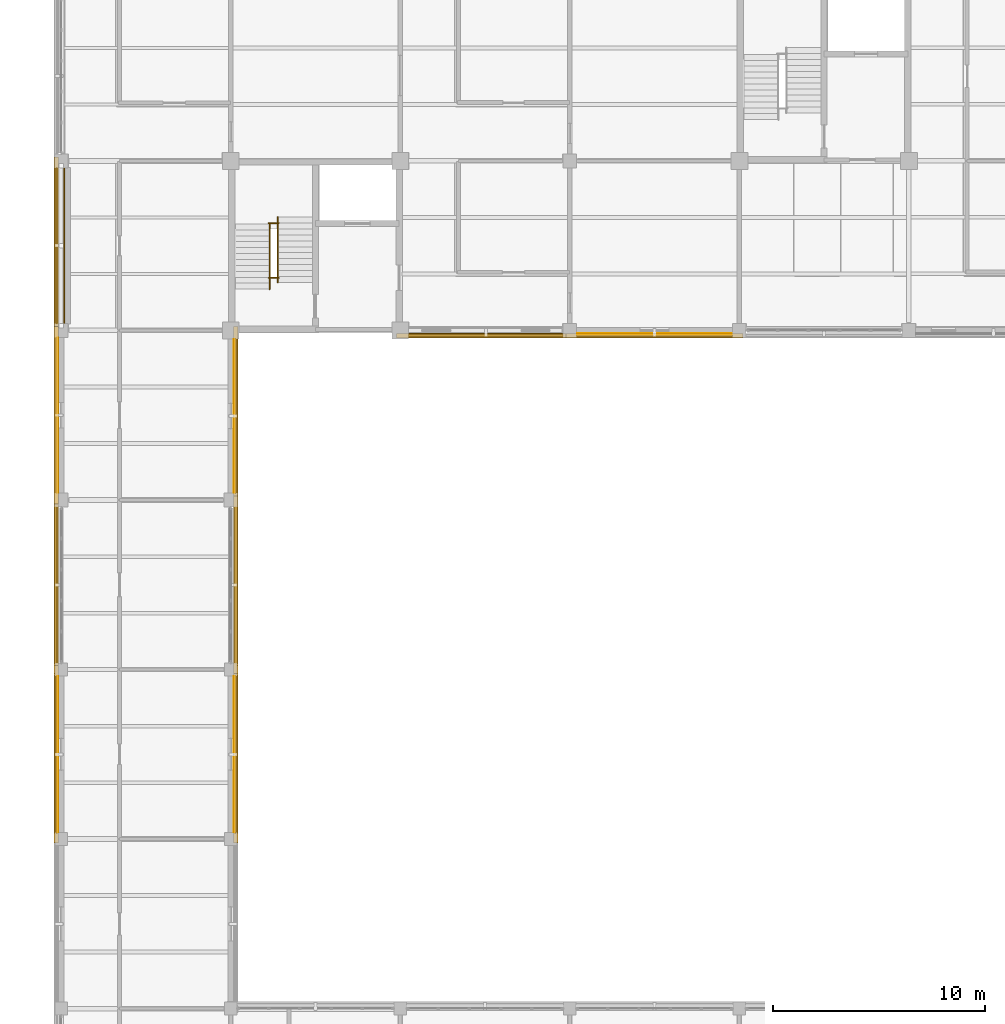
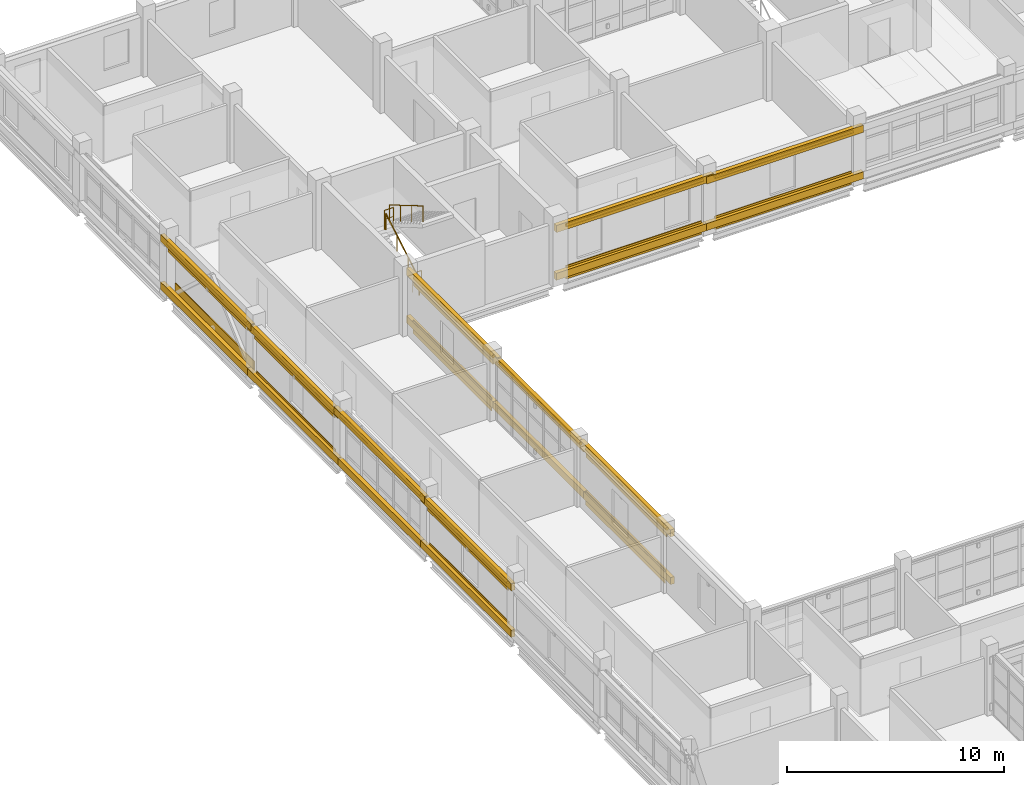
# One storey, part 117 of 126: 25 coverings, 14 shading devices, 4 railings.
"""IFC4 building model written with IfcOpenShell, lengths in metres."""

from ifc_helpers import new_model, si_unit, derived_unit, direction, frame, origin, origin_2d, place, context, subcontext, project, spatial, rectangle, circle, extrude, material, layer, layer_set, material_profile, profile_set, type_object, element, save


model = new_model("IFC4")

# Units and contexts
model_context = context("Model", 3, precision=1e-05, world=origin(), true_north=direction((0.0, 1.0)))
body_context = subcontext(model_context, "Body", "Model", "MODEL_VIEW")
ifc_project = project(units=[si_unit("LENGTHUNIT", "METRE"), si_unit("AREAUNIT", "SQUARE_METRE"), si_unit("VOLUMEUNIT", "CUBIC_METRE"), si_unit("PLANEANGLEUNIT", "RADIAN"), si_unit("MASSUNIT", "GRAM", prefix="KILO"), derived_unit("THERMALTRANSMITTANCEUNIT", [(si_unit("MASSUNIT", "GRAM", prefix="KILO"), 1), (si_unit("TIMEUNIT", "SECOND"), -3), (si_unit("THERMODYNAMICTEMPERATUREUNIT", "KELVIN"), -1)])], contexts=[model_context])

# Site, building, storey
site_placement = place(None, origin())
site = spatial("IfcSite", under=ifc_project, at=site_placement, CompositionType="ELEMENT")
building_placement = place(site_placement, origin())
building = spatial("IfcBuilding", under=site, at=building_placement, Name="Veyamyaing Civic Hall", CompositionType="ELEMENT")
storey_placement = place(building_placement, frame((0.0, 0.0, 9.89990234375)))
storey = spatial("IfcBuildingStorey", under=building, at=storey_placement, Name="L02", CompositionType="ELEMENT", Elevation=9.89990234375)

# Coverings
ifc_material_1 = material(Name="Buff sandstone ashlar cladding", Category="masonry")
ifc_layer_1 = layer(ifc_material_1, 0.050048828125, Name="Buff sandstone ashlar cladding")
ifc_layer_set_1 = layer_set([ifc_layer_1], Name="Buff sandstone ashlar cladding")
covering_type_1 = type_object("IfcCoveringType", Name="CL-01", PredefinedType="CLADDING", material=ifc_layer_set_1)
covering_1_placement = place(storey_placement, frame((0.138916015625, 92.0, 0.045166015625), z_axis=(0.0, 0.0, 1.0), x_axis=(0.0, 1.0, 0.0)))
element("IfcCovering", 1, at=covering_1_placement, inside=storey, type_object=covering_type_1, Name="Facade spandrel cladding CL-01 L02 W 1.12", PredefinedType="CLADDING", context=body_context, shape_type="SweptSolid", body=[
    extrude(rectangle(XDim=7.300048828125, YDim=0.050048828125, at=origin_2d()), origin(), (0.0, 0.0, 1.0), 0.75),
])
covering_2_placement = place(storey_placement, frame((20.03759765625, 87.839111328125, 0.045166015625), z_axis=(0.0, 0.0, 1.0), x_axis=(1.0, 0.0, 0.0)))
element("IfcCovering", 2, at=covering_2_placement, inside=storey, type_object=covering_type_1, Name="Facade spandrel cladding CL-01 L02 S 3.12", PredefinedType="CLADDING", context=body_context, shape_type="SweptSolid", body=[
    extrude(rectangle(XDim=7.22509765625, YDim=0.050048828125, at=origin_2d()), origin(), (0.0, 0.0, 1.0), 0.75),
])
ifc_material_2 = material(Name="Turquoise glazed ceramic tile cladding", Category="masonry")
ifc_layer_2 = layer(ifc_material_2, 0.034912109375, Name="Turquoise glazed ceramic tile cladding")
ifc_layer_set_2 = layer_set([ifc_layer_2], Name="Turquoise glazed ceramic tile cladding")
covering_type_2 = type_object("IfcCoveringType", Name="CL-02", PredefinedType="CLADDING", material=ifc_layer_set_2)
for number, where, z_axis, x_axis, name in (
    (3, (-0.153564453125, 68.0, 0.045166015625), (0.0, 0.0, 1.0), (0.0, 1.0, 0.0), "Facade spandrel cladding CL-02 L02 W 1.9"),
    (4, (8.153564453125, 68.0, 0.045166015625), (0.0, 0.0, 1.0), (0.0, 1.0, 0.0), "Facade spandrel cladding CL-02 L02 E 1.9"),
):
    element("IfcCovering", number, at=place(storey_placement, frame(where, z_axis=z_axis, x_axis=x_axis)), inside=storey, type_object=covering_type_2, Name=name, PredefinedType="CLADDING", context=body_context, shape_type="SweptSolid", body=[
        extrude(rectangle(XDim=7.35009765625, YDim=0.034912109375, at=origin_2d()), origin(), (0.0, 0.0, 1.0), 0.75),
    ])
covering_3_placement = place(storey_placement, frame((-0.153564453125, 84.0, 0.045166015625), z_axis=(0.0, 0.0, 1.0), x_axis=(0.0, 1.0, 0.0)))
element("IfcCovering", 5, at=covering_3_placement, inside=storey, type_object=covering_type_2, Name="Facade spandrel cladding CL-02 L02 W 1.11", PredefinedType="CLADDING", context=body_context, shape_type="SweptSolid", body=[
    extrude(rectangle(XDim=7.300048828125, YDim=0.034912109375, at=origin_2d()), origin(), (0.0, 0.0, 1.0), 0.75),
])
covering_4_placement = place(storey_placement, frame((8.153564453125, 83.96240234375, 0.045166015625), z_axis=(0.0, 0.0, 1.0), x_axis=(0.0, 1.0, 0.0)))
element("IfcCovering", 6, at=covering_4_placement, inside=storey, type_object=covering_type_2, Name="Facade spandrel cladding CL-02 L02 E 1.11", PredefinedType="CLADDING", context=body_context, shape_type="SweptSolid", body=[
    extrude(rectangle(XDim=7.22509765625, YDim=0.034912109375, at=origin_2d()), origin(), (0.0, 0.0, 1.0), 0.75),
])
covering_5_placement = place(storey_placement, frame((28.0, 87.846435546875, 0.045166015625), z_axis=(0.0, 0.0, 1.0), x_axis=(1.0, 0.0, 0.0)))
element("IfcCovering", 7, at=covering_5_placement, inside=storey, type_object=covering_type_2, Name="Facade spandrel cladding CL-02 L02 S 4.12", PredefinedType="CLADDING", context=body_context, shape_type="SweptSolid", body=[
    extrude(rectangle(XDim=7.300048828125, YDim=0.034912109375, at=origin_2d()), origin(), (0.0, 0.0, 1.0), 0.75),
])
ifc_material_3 = material(Name="White powder-coated aluminium 6063-T6", Category="aluminium")
ifc_layer_3 = layer(ifc_material_3, 0.2099609375, Name="White powder-coated aluminium 6063-T6")
ifc_layer_set_3 = layer_set([ifc_layer_3], Name="White powder-coated aluminium 6063-T6")
covering_type_3 = type_object("IfcCoveringType", Name="CL-03", PredefinedType="CLADDING", material=ifc_layer_set_3)
for number, where, z_axis, x_axis, name in (
    (8, (-0.239990234375, 68.0, 2.904052734375), (0.0, 0.0, 1.0), (0.0, 1.0, 0.0), "Continuous white head fascia ribbon CL-03 L02 W 1.9"),
    (9, (-0.239990234375, 68.0, 0.280029296875), (0.0, 0.0, 1.0), (0.0, 1.0, 0.0), "Continuous white sill fascia ribbon CL-03 L02 W 1.9"),
    (10, (8.239990234375, 68.0, 2.967041015625), (0.0, 0.0, 1.0), (0.0, 1.0, 0.0), "Continuous white head fascia ribbon CL-03 L02 E 1.9"),
    (11, (8.239990234375, 68.0, 0.280029296875), (0.0, 0.0, 1.0), (0.0, 1.0, 0.0), "Continuous white sill fascia ribbon CL-03 L02 E 1.9"),
    (12, (-0.239990234375, 76.0, 2.967041015625), (0.0, 0.0, 1.0), (0.0, 1.0, 0.0), "Continuous white head fascia ribbon CL-03 L02 W 1.10"),
    (13, (-0.239990234375, 76.0, 0.280029296875), (0.0, 0.0, 1.0), (0.0, 1.0, 0.0), "Continuous white sill fascia ribbon CL-03 L02 W 1.10"),
    (14, (8.239990234375, 76.0, 2.900146484375), (0.0, 0.0, 1.0), (0.0, 1.0, 0.0), "Continuous white head fascia ribbon CL-03 L02 E 1.10"),
    (15, (8.239990234375, 76.0, 0.280029296875), (0.0, 0.0, 1.0), (0.0, 1.0, 0.0), "Continuous white sill fascia ribbon CL-03 L02 E 1.10"),
    (16, (-0.239990234375, 84.0, 2.900146484375), (0.0, 0.0, 1.0), (0.0, 1.0, 0.0), "Continuous white head fascia ribbon CL-03 L02 W 1.11"),
    (17, (-0.239990234375, 84.0, 0.280029296875), (0.0, 0.0, 1.0), (0.0, 1.0, 0.0), "Continuous white sill fascia ribbon CL-03 L02 W 1.11"),
    (18, (8.239990234375, 84.0, 2.964111328125), (0.0, 0.0, 1.0), (0.0, 1.0, 0.0), "Continuous white head fascia ribbon CL-03 L02 E 1.11"),
    (19, (8.239990234375, 84.0, 0.280029296875), (0.0, 0.0, 1.0), (0.0, 1.0, 0.0), "Continuous white sill fascia ribbon CL-03 L02 E 1.11"),
    (20, (-0.239990234375, 92.0, 2.964111328125), (0.0, 0.0, 1.0), (0.0, 1.0, 0.0), "Continuous white head fascia ribbon CL-03 L02 W 1.12"),
    (21, (-0.239990234375, 92.0, 0.280029296875), (0.0, 0.0, 1.0), (0.0, 1.0, 0.0), "Continuous white sill fascia ribbon CL-03 L02 W 1.12"),
    (22, (20.0, 87.760009765625, 2.967041015625), (0.0, 0.0, 1.0), (1.0, 0.0, 0.0), "Continuous white head fascia ribbon CL-03 L02 S 3.12"),
    (23, (20.0, 87.760009765625, 0.280029296875), (0.0, 0.0, 1.0), (1.0, 0.0, 0.0), "Continuous white sill fascia ribbon CL-03 L02 S 3.12"),
    (24, (28.0, 87.760009765625, 2.900146484375), (0.0, 0.0, 1.0), (1.0, 0.0, 0.0), "Continuous white head fascia ribbon CL-03 L02 S 4.12"),
    (25, (28.0, 87.760009765625, 0.280029296875), (0.0, 0.0, 1.0), (1.0, 0.0, 0.0), "Continuous white sill fascia ribbon CL-03 L02 S 4.12"),
):
    element("IfcCovering", number, at=place(storey_placement, frame(where, z_axis=z_axis, x_axis=x_axis)), inside=storey, type_object=covering_type_3, Name=name, PredefinedType="CLADDING", context=body_context, shape_type="SweptSolid", body=[
        extrude(rectangle(XDim=8.360107421875, YDim=0.2099609375, at=origin_2d()), origin(), (0.0, 0.0, 1.0), 0.39990234375),
    ])

# Shading devices
ifc_material_4 = material(Name="Anodised aluminium 6063-T6", Category="aluminium")
ifc_material_profile_1 = material_profile(ifc_material_4, rectangle(XDim=0.050048828125, YDim=0.25, at=origin_2d()), Name="LOUVRE-BLADE-50X250")
ifc_profile_set_1 = profile_set([ifc_material_profile_1], Name="Anodised aluminium 6063-T6")
shading_device_type_1 = type_object("IfcShadingDeviceType", Name="LV-01", PredefinedType="JALOUSIE", material=ifc_profile_set_1)
for number, where, z_axis, x_axis, name in (
    (26, (-0.219970703125, 64.284912109375, 2.734130859375), (0.0, 1.0, 0.0), (-1.0, 0.0, 0.0), "Monsoon solar louvre LV-01 L02 W 1.9"),
    (27, (8.219970703125, 64.284912109375, 2.797119140625), (0.0, 1.0, 0.0), (-1.0, 0.0, 0.0), "Monsoon solar louvre LV-01 L02 E 1.9"),
):
    element("IfcShadingDevice", number, at=place(storey_placement, frame(where, z_axis=z_axis, x_axis=x_axis)), inside=storey, type_object=shading_device_type_1, Name=name, PredefinedType="JALOUSIE", context=body_context, shape_type="SweptSolid", body=[
        extrude(rectangle(XDim=0.050048828125, YDim=0.25, at=origin_2d()), origin(), (0.0, 0.0, 1.0), 7.43017578125),
    ])
shading_device_1_placement = place(storey_placement, frame((-0.219970703125, 80.31005859375, 2.72998046875), z_axis=(0.0, 1.0, 0.0), x_axis=(-1.0, 0.0, 0.0)))
element("IfcShadingDevice", 28, at=shading_device_1_placement, inside=storey, type_object=shading_device_type_1, Name="Monsoon solar louvre LV-01 L02 W 1.11", PredefinedType="JALOUSIE", context=body_context, shape_type="SweptSolid", body=[
    extrude(rectangle(XDim=0.050048828125, YDim=0.25, at=origin_2d()), origin(), (0.0, 0.0, 1.0), 7.3798828125),
])
shading_device_2_placement = place(storey_placement, frame((8.219970703125, 80.31005859375, 2.794189453125), z_axis=(0.0, 1.0, 0.0), x_axis=(-1.0, 0.0, 0.0)))
element("IfcShadingDevice", 29, at=shading_device_2_placement, inside=storey, type_object=shading_device_type_1, Name="Monsoon solar louvre LV-01 L02 E 1.11", PredefinedType="JALOUSIE", context=body_context, shape_type="SweptSolid", body=[
    extrude(rectangle(XDim=0.050048828125, YDim=0.25, at=origin_2d()), origin(), (0.0, 0.0, 1.0), 7.304931640625),
])
shading_device_3_placement = place(storey_placement, frame((-0.219970703125, 88.31005859375, 2.794189453125), z_axis=(0.0, 1.0, 0.0), x_axis=(-1.0, 0.0, 0.0)))
element("IfcShadingDevice", 30, at=shading_device_3_placement, inside=storey, type_object=shading_device_type_1, Name="Monsoon solar louvre LV-01 L02 W 1.12", PredefinedType="JALOUSIE", context=body_context, shape_type="SweptSolid", body=[
    extrude(rectangle(XDim=0.050048828125, YDim=0.25, at=origin_2d()), origin(), (0.0, 0.0, 1.0), 7.3798828125),
])

# Railings
ifc_material_5 = material(Name="Steel S355J2", Category="steel")
railing_type_1 = type_object("IfcRailingType", Name="RL-01", PredefinedType="BALUSTRADE", material=ifc_material_5)
railing_1_placement = place(storey_placement, frame((9.780029296875, 93.070068359375, 1.97998046875)))
element("IfcRailing", 31, at=railing_1_placement, inside=storey, type_object=railing_type_1, Name="Half-landing slot guard RL-01 ST-01 L02", PredefinedType="BALUSTRADE", context=body_context, shape_type="SweptSolid", body=[
    extrude(circle(Radius=0.02392578125, at=origin_2d()), frame((0.0, 0.0, 1.076171875), z_axis=(1.0, 0.0, 0.0), x_axis=(0.0, 1.0, 0.0)), (0.0, 0.0, 1.0), 0.489990234375),
    extrude(circle(Radius=0.01416015625, at=origin_2d()), frame((0.0, 0.0, 0.572021484375), z_axis=(1.0, 0.0, 0.0), x_axis=(0.0, 1.0, 0.0)), (0.0, 0.0, 1.0), 0.489990234375),
    extrude(circle(Radius=0.02099609375, at=origin_2d()), origin(), (0.0, 0.0, 1.0), 1.052001953125),
    extrude(circle(Radius=0.02099609375, at=origin_2d()), frame((0.489990234375, 0.0, 0.0)), (0.0, 0.0, 1.0), 1.052001953125),
])
railing_2_placement = place(storey_placement, frame((9.800048828125, 90.47998046875, 0.0)))
element("IfcRailing", 32, at=railing_2_placement, inside=storey, type_object=railing_type_1, Name="Floor-landing slot guard RL-01 ST-01 L02", PredefinedType="BALUSTRADE", context=body_context, shape_type="SweptSolid", body=[
    extrude(circle(Radius=0.02392578125, at=origin_2d()), frame((0.0, 0.0, 1.076171875), z_axis=(1.0, 0.0, 0.0), x_axis=(0.0, 1.0, 0.0)), (0.0, 0.0, 1.0), 0.469970703125),
    extrude(circle(Radius=0.01416015625, at=origin_2d()), frame((0.0, 0.0, 0.572021484375), z_axis=(1.0, 0.0, 0.0), x_axis=(0.0, 1.0, 0.0)), (0.0, 0.0, 1.0), 0.469970703125),
    extrude(circle(Radius=0.02099609375, at=origin_2d()), origin(), (0.0, 0.0, 1.0), 1.052001953125),
    extrude(circle(Radius=0.02099609375, at=origin_2d()), frame((0.469970703125, 0.0, 0.0)), (0.0, 0.0, 1.0), 1.052001953125),
])
railing_type_2 = type_object("IfcRailingType", Name="RL-02", PredefinedType="HANDRAIL", material=ifc_material_5)
railing_3_placement = place(storey_placement, frame((9.840087890625, 89.949951171875, 0.1650390625)))
element("IfcRailing", 33, at=railing_3_placement, inside=storey, type_object=railing_type_2, Name="Stair pitch handrail RL-02 ST-01 L02.1", PredefinedType="HANDRAIL", context=body_context, shape_type="SweptSolid", body=[
    extrude(circle(Radius=0.02392578125, at=origin_2d()), frame((0.0, 0.0, 0.89599609375), z_axis=(0.0, 0.861551262678, 0.507670583921), x_axis=(-1.0, 0.0, 0.0)), (0.0, 0.0, 1.0), 3.574951171875),
    extrude(circle(Radius=0.02099609375, at=origin_2d()), origin(), (0.0, 0.0, 1.0), 0.871826171875),
    extrude(circle(Radius=0.02099609375, at=origin_2d()), frame((0.0, 1.026611328125, 0.60498046875)), (0.0, 0.0, 1.0), 0.871826171875),
    extrude(circle(Radius=0.02099609375, at=origin_2d()), frame((0.0, 2.053466796875, 1.2099609375)), (0.0, 0.0, 1.0), 0.871826171875),
    extrude(circle(Radius=0.02099609375, at=origin_2d()), frame((0.0, 3.080078125, 1.81494140625)), (0.0, 0.0, 1.0), 0.871826171875),
])
railing_4_placement = place(storey_placement, frame((10.219970703125, 93.35009765625, 2.14501953125)))
element("IfcRailing", 34, at=railing_4_placement, inside=storey, type_object=railing_type_2, Name="Stair pitch handrail RL-02 ST-01 L02.2", PredefinedType="HANDRAIL", context=body_context, shape_type="SweptSolid", body=[
    extrude(circle(Radius=0.02392578125, at=origin_2d()), frame((0.0, 0.0, 0.89599609375), z_axis=(0.0, -0.861521393093, 0.507721271215), x_axis=(1.0, 0.0, 0.0)), (0.0, 0.0, 1.0), 3.5751953125),
    extrude(circle(Radius=0.02099609375, at=origin_2d()), origin(), (0.0, 0.0, 1.0), 0.871826171875),
    extrude(circle(Radius=0.02099609375, at=origin_2d()), frame((0.0, -1.026611328125, 0.60498046875)), (0.0, 0.0, 1.0), 0.871826171875),
    extrude(circle(Radius=0.02099609375, at=origin_2d()), frame((0.0, -2.053466796875, 1.210205078125)), (0.0, 0.0, 1.0), 0.871826171875),
    extrude(circle(Radius=0.02099609375, at=origin_2d()), frame((0.0, -3.080078125, 1.815185546875)), (0.0, 0.0, 1.0), 0.871826171875),
])

# Shading devices
ifc_material_profile_2 = material_profile(ifc_material_3, circle(Radius=0.090087890625, at=origin_2d()), Name="SHADE-TUBE-180")
ifc_profile_set_2 = profile_set([ifc_material_profile_2], Name="White powder-coated aluminium 6063-T6")
shading_device_type_2 = type_object("IfcShadingDeviceType", Name="SH-02", PredefinedType="USERDEFINED", material=ifc_profile_set_2)
for number, where, z_axis, x_axis, name in (
    (35, (-0.239990234375, 64.284912109375, 3.064208984375), (0.0, 1.0, 0.0), (-1.0, 0.0, 0.0), "Horizontal white sunshade ribbon SH-02 L02 W 1.9"),
    (36, (8.239990234375, 64.284912109375, 3.127197265625), (0.0, 1.0, 0.0), (-1.0, 0.0, 0.0), "Horizontal white sunshade ribbon SH-02 L02 E 1.9"),
):
    element("IfcShadingDevice", number, at=place(storey_placement, frame(where, z_axis=z_axis, x_axis=x_axis)), inside=storey, type_object=shading_device_type_2, Name=name, ObjectType="SUNSHADE", PredefinedType="USERDEFINED", context=body_context, shape_type="SweptSolid", body=[
        extrude(circle(Radius=0.090087890625, at=origin_2d()), origin(), (0.0, 0.0, 1.0), 7.43017578125),
    ])
for number, where, z_axis, x_axis, name in (
    (37, (-0.239990234375, 72.284912109375, 3.127197265625), (0.0, 1.0, 0.0), (-1.0, 0.0, 0.0), "Horizontal white sunshade ribbon SH-02 L02 W 1.10"),
    (38, (8.239990234375, 72.284912109375, 3.06005859375), (0.0, 1.0, 0.0), (-1.0, 0.0, 0.0), "Horizontal white sunshade ribbon SH-02 L02 E 1.10"),
):
    element("IfcShadingDevice", number, at=place(storey_placement, frame(where, z_axis=z_axis, x_axis=x_axis)), inside=storey, type_object=shading_device_type_2, Name=name, ObjectType="SUNSHADE", PredefinedType="USERDEFINED", context=body_context, shape_type="SweptSolid", body=[
        extrude(circle(Radius=0.090087890625, at=origin_2d()), origin(), (0.0, 0.0, 1.0), 7.405029296875),
    ])
shading_device_4_placement = place(storey_placement, frame((-0.239990234375, 80.31005859375, 3.06005859375), z_axis=(0.0, 1.0, 0.0), x_axis=(-1.0, 0.0, 0.0)))
element("IfcShadingDevice", 39, at=shading_device_4_placement, inside=storey, type_object=shading_device_type_2, Name="Horizontal white sunshade ribbon SH-02 L02 W 1.11", ObjectType="SUNSHADE", PredefinedType="USERDEFINED", context=body_context, shape_type="SweptSolid", body=[
    extrude(circle(Radius=0.090087890625, at=origin_2d()), origin(), (0.0, 0.0, 1.0), 7.3798828125),
])
shading_device_5_placement = place(storey_placement, frame((8.239990234375, 80.31005859375, 3.1240234375), z_axis=(0.0, 1.0, 0.0), x_axis=(-1.0, 0.0, 0.0)))
element("IfcShadingDevice", 40, at=shading_device_5_placement, inside=storey, type_object=shading_device_type_2, Name="Horizontal white sunshade ribbon SH-02 L02 E 1.11", ObjectType="SUNSHADE", PredefinedType="USERDEFINED", context=body_context, shape_type="SweptSolid", body=[
    extrude(circle(Radius=0.090087890625, at=origin_2d()), origin(), (0.0, 0.0, 1.0), 7.304931640625),
])
shading_device_6_placement = place(storey_placement, frame((-0.239990234375, 88.31005859375, 3.1240234375), z_axis=(0.0, 1.0, 0.0), x_axis=(-1.0, 0.0, 0.0)))
element("IfcShadingDevice", 41, at=shading_device_6_placement, inside=storey, type_object=shading_device_type_2, Name="Horizontal white sunshade ribbon SH-02 L02 W 1.12", ObjectType="SUNSHADE", PredefinedType="USERDEFINED", context=body_context, shape_type="SweptSolid", body=[
    extrude(circle(Radius=0.090087890625, at=origin_2d()), origin(), (0.0, 0.0, 1.0), 7.3798828125),
])
shading_device_7_placement = place(storey_placement, frame((16.385009765625, 87.760009765625, 3.127197265625), z_axis=(1.0, 0.0, 0.0), x_axis=(0.0, 1.0, 0.0)))
element("IfcShadingDevice", 42, at=shading_device_7_placement, inside=storey, type_object=shading_device_type_2, Name="Horizontal white sunshade ribbon SH-02 L02 S 3.12", ObjectType="SUNSHADE", PredefinedType="USERDEFINED", context=body_context, shape_type="SweptSolid", body=[
    extrude(circle(Radius=0.090087890625, at=origin_2d()), origin(), (0.0, 0.0, 1.0), 7.304931640625),
])
shading_device_8_placement = place(storey_placement, frame((24.31005859375, 87.760009765625, 3.06005859375), z_axis=(1.0, 0.0, 0.0), x_axis=(0.0, 1.0, 0.0)))
element("IfcShadingDevice", 43, at=shading_device_8_placement, inside=storey, type_object=shading_device_type_2, Name="Horizontal white sunshade ribbon SH-02 L02 S 4.12", ObjectType="SUNSHADE", PredefinedType="USERDEFINED", context=body_context, shape_type="SweptSolid", body=[
    extrude(circle(Radius=0.090087890625, at=origin_2d()), origin(), (0.0, 0.0, 1.0), 7.3798828125),
])

save(model, "model.ifc")
